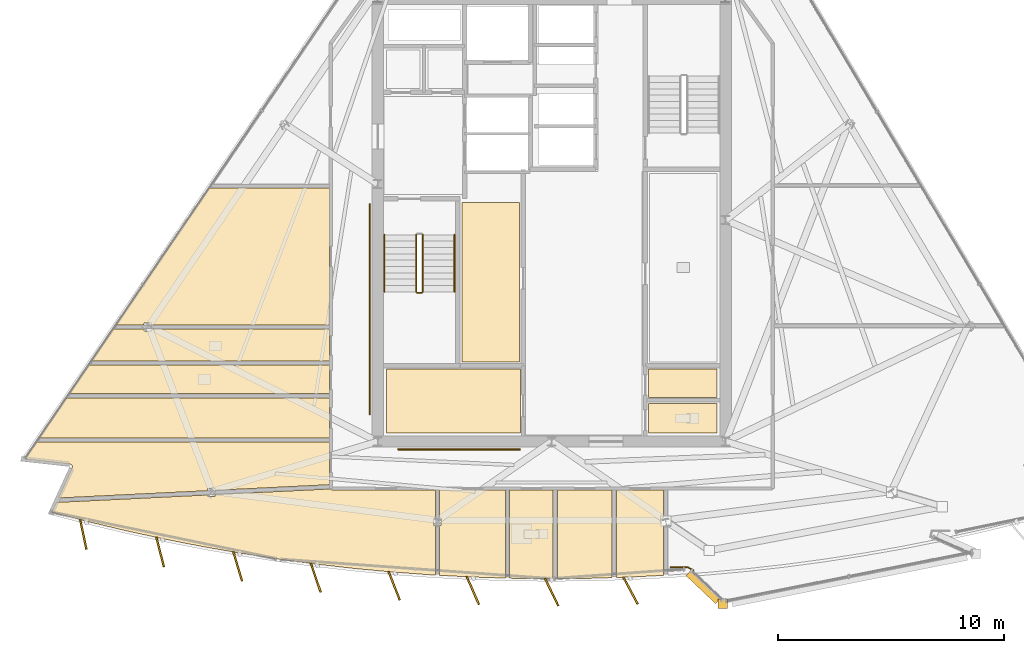
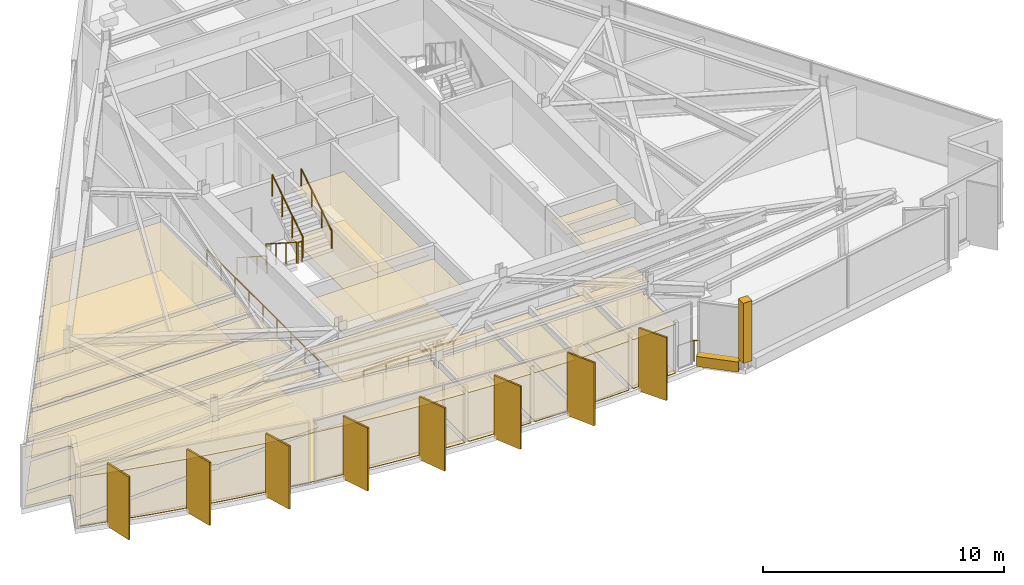
# One storey, part 10 of 13: 29 coverings, 8 railings, 8 shading devices.
"""IFC4 building model written with IfcOpenShell, lengths in metres."""

from ifc_helpers import new_model, si_unit, direction, frame, origin, origin_2d, place, context, subcontext, project, spatial, polyline, rectangle, circle, outline, extrude, material, layer, layer_set, type_object, element, save


model = new_model("IFC4")

# Units and contexts
model_context = context("Model", 3, precision=1e-05, world=origin(), true_north=direction((0.0, 1.0)))
body_context = subcontext(model_context, "Body", "Model", "MODEL_VIEW")
ifc_project = project(units=[si_unit("LENGTHUNIT", "METRE"), si_unit("AREAUNIT", "SQUARE_METRE"), si_unit("VOLUMEUNIT", "CUBIC_METRE"), si_unit("PLANEANGLEUNIT", "RADIAN"), si_unit("MASSUNIT", "GRAM", prefix="KILO")], contexts=[model_context])

# Site, building, storey
site_placement = place(None, origin())
site = spatial("IfcSite", under=ifc_project, at=site_placement, CompositionType="ELEMENT")
building_placement = place(site_placement, origin())
building = spatial("IfcBuilding", under=site, at=building_placement, Name="Savorim Split Tower", CompositionType="ELEMENT")
storey_placement = place(building_placement, frame((0.0, 0.0, 290.39990234375)))
storey = spatial("IfcBuildingStorey", under=building, at=storey_placement, Name="L77", CompositionType="ELEMENT", Elevation=290.39990234375)

# Coverings
ifc_material_1 = material(Name="Mineral Fibre Acoustic Ceiling")
ifc_layer_1 = layer(ifc_material_1, 0.02490234375)
ifc_layer_set_1 = layer_set([ifc_layer_1], Name="COV-CEIL-25")
covering_type_1 = type_object("IfcCoveringType", Name="COV-CEIL-25", PredefinedType="CEILING", material=ifc_layer_set_1)
covering_1_placement = place(storey_placement, frame((0.0, 0.0, 2.47021484375)))
element("IfcCovering", 1, at=covering_1_placement, inside=storey, type_object=covering_type_1, Name="L77 Quiet Study Room Acoustic Ceiling", PredefinedType="CEILING", context=body_context, shape_type="SweptSolid", body=[
    extrude(outline(polyline([(-3.969970703125, 1.169921875), (-3.969970703125, -5.8701171875), (-1.429931640625, -5.8701171875), (-1.429931640625, 1.169921875), (-3.969970703125, 1.169921875)])), origin(), (0.0, 0.0, 1.0), 0.02490234375),
])
covering_2_placement = place(storey_placement, frame((0.0, 0.0, 2.47021484375)))
element("IfcCovering", 2, at=covering_2_placement, inside=storey, type_object=covering_type_1, Name="L77 Housekeeping Store Acoustic Ceiling", PredefinedType="CEILING", context=body_context, shape_type="SweptSolid", body=[
    extrude(outline(polyline([(-7.320068359375, -6.179931640625), (-7.320068359375, -9.02001953125), (-1.3798828125, -9.02001953125), (-1.3798828125, -6.179931640625), (-7.320068359375, -6.179931640625)])), origin(), (0.0, 0.0, 1.0), 0.02490234375),
])
covering_3_placement = place(storey_placement, frame((0.0, 0.0, 2.47021484375)))
element("IfcCovering", 3, at=covering_3_placement, inside=storey, type_object=covering_type_1, Name="L77 Accessible WC Acoustic Ceiling", PredefinedType="CEILING", context=body_context, shape_type="SweptSolid", body=[
    extrude(outline(polyline([(4.280029296875, -7.719970703125), (4.280029296875, -9.02001953125), (7.320068359375, -9.02001953125), (7.320068359375, -7.719970703125), (4.280029296875, -7.719970703125)])), origin(), (0.0, 0.0, 1.0), 0.02490234375),
])
covering_4_placement = place(storey_placement, frame((0.0, 0.0, 2.47021484375)))
element("IfcCovering", 4, at=covering_4_placement, inside=storey, type_object=covering_type_1, Name="L77 Cleaning Store Acoustic Ceiling", PredefinedType="CEILING", context=body_context, shape_type="SweptSolid", body=[
    extrude(outline(polyline([(4.280029296875, -6.179931640625), (4.280029296875, -7.43994140625), (7.320068359375, -7.43994140625), (7.320068359375, -6.179931640625), (4.280029296875, -6.179931640625)])), origin(), (0.0, 0.0, 1.0), 0.02490234375),
])
covering_5_placement = place(storey_placement, frame((0.0, 0.0, 2.47021484375)))
element("IfcCovering", 5, at=covering_5_placement, inside=storey, type_object=covering_type_1, Name="L77 Communal Lounge Acoustic Ceiling", PredefinedType="CEILING", context=body_context, shape_type="SweptSolid", body=[
    extrude(outline(polyline([(-17.72119140625, -4.152587890625), (-17.72119140625, -4.232666015625), (-9.840087890625, -4.232666015625), (-9.840087890625, 1.815673828125), (-15.164306640625, 1.815673828125), (-19.278564453125, -4.232666015625), (-18.050048828125, -4.232666015625), (-18.050048828125, -4.152587890625), (-17.72119140625, -4.152587890625)])), origin(), (0.0, 0.0, 1.0), 0.02490234375),
])
covering_6_placement = place(storey_placement, frame((0.0, 0.0, 2.47021484375)))
element("IfcCovering", 6, at=covering_6_placement, inside=storey, type_object=covering_type_1, Name="L77 Shared Kitchen Acoustic Ceiling", PredefinedType="CEILING", context=body_context, shape_type="SweptSolid", body=[
    extrude(outline(polyline([(-19.28271484375, -4.422607421875), (-19.377685546875, -4.422607421875), (-19.377685546875, -4.37841796875), (-20.36328125, -5.8271484375), (-9.840087890625, -5.8271484375), (-9.840087890625, -4.422607421875), (-17.72119140625, -4.422607421875), (-17.72119140625, -4.502685546875), (-18.050048828125, -4.502685546875), (-18.050048828125, -4.422607421875), (-19.28271484375, -4.422607421875)])), origin(), (0.0, 0.0, 1.0), 0.02490234375),
])
covering_7_placement = place(storey_placement, frame((0.0, 0.0, 2.47021484375)))
element("IfcCovering", 7, at=covering_7_placement, inside=storey, type_object=covering_type_1, Name="L77 Community Laundry Room Acoustic Ceiling", PredefinedType="CEILING", context=body_context, shape_type="SweptSolid", body=[
    extrude(outline(polyline([(-9.840087890625, -7.275390625), (-9.840087890625, -6.01708984375), (-20.49267578125, -6.01708984375), (-21.3486328125, -7.275390625), (-9.840087890625, -7.275390625)])), origin(), (0.0, 0.0, 1.0), 0.02490234375),
])
covering_8_placement = place(storey_placement, frame((0.0, 0.0, 2.47021484375)))
element("IfcCovering", 8, at=covering_8_placement, inside=storey, type_object=covering_type_1, Name="L77 Quiet Study Room Acoustic Ceiling", PredefinedType="CEILING", context=body_context, shape_type="SweptSolid", body=[
    extrude(outline(polyline([(-9.840087890625, -9.238037109375), (-9.840087890625, -7.465576171875), (-21.477783203125, -7.465576171875), (-22.68359375, -9.238037109375), (-9.840087890625, -9.238037109375)])), origin(), (0.0, 0.0, 1.0), 0.02490234375),
])
covering_9_placement = place(storey_placement, frame((0.0, 0.0, 2.47021484375)))
element("IfcCovering", 9, at=covering_9_placement, inside=storey, type_object=covering_type_1, Name="L77 Quiet Study Room Acoustic Ceiling", PredefinedType="CEILING", context=body_context, shape_type="SweptSolid", body=[
    extrude(outline(polyline([(-21.21337890625, -10.5068359375), (-21.21337890625, -10.518798828125), (-21.214111328125, -10.530517578125), (-21.21630859375, -10.54248046875), (-21.2197265625, -10.5537109375), (-21.22412109375, -10.56494140625), (-21.8369140625, -11.898681640625), (-15.23876953125, -11.57470703125), (-15.23876953125, -11.486572265625), (-14.90966796875, -11.486572265625), (-14.90966796875, -11.558349609375), (-9.844482421875, -11.3095703125), (-9.840087890625, -11.309326171875), (-9.840087890625, -9.427978515625), (-22.81298828125, -9.427978515625), (-23.3193359375, -10.172119140625), (-21.31982421875, -10.3955078125), (-21.30810546875, -10.3974609375), (-21.296630859375, -10.400390625), (-21.285400390625, -10.40478515625), (-21.274658203125, -10.409912109375), (-21.2646484375, -10.41650390625), (-21.255126953125, -10.423583984375), (-21.24658203125, -10.431884765625), (-21.23876953125, -10.44091796875), (-21.231689453125, -10.45068359375), (-21.225830078125, -10.4609375), (-21.22119140625, -10.471923828125), (-21.21728515625, -10.4833984375), (-21.21484375, -10.494873046875), (-21.21337890625, -10.5068359375)])), origin(), (0.0, 0.0, 1.0), 0.02490234375),
])
covering_10_placement = place(storey_placement, frame((0.0, 0.0, 2.47021484375)))
element("IfcCovering", 10, at=covering_10_placement, inside=storey, type_object=covering_type_1, Name="L77 Maker Workshop Acoustic Ceiling", PredefinedType="CEILING", context=body_context, shape_type="SweptSolid", body=[
    extrude(outline(polyline([(-10.37109375, -14.83154296875), (-8.649169921875, -15.026123046875), (-6.923583984375, -15.185546875), (-5.1953125, -15.3095703125), (-5.147216796875, -15.31201171875), (-5.147216796875, -13.123291015625), (-5.216796875, -13.123291015625), (-5.216796875, -12.7734375), (-5.147216796875, -12.7734375), (-5.147216796875, -11.5400390625), (-9.699951171875, -11.5400390625), (-9.713623046875, -11.539306640625), (-9.727294921875, -11.537353515625), (-9.740478515625, -11.533935546875), (-9.753662109375, -11.529296875), (-9.76611328125, -11.5234375), (-9.77783203125, -11.516357421875), (-9.788818359375, -11.50830078125), (-9.799072265625, -11.4990234375), (-9.80029296875, -11.49755859375), (-14.90966796875, -11.74853515625), (-14.90966796875, -11.836669921875), (-15.23876953125, -11.836669921875), (-15.23876953125, -11.764892578125), (-21.82080078125, -12.088134765625), (-21.91552734375, -12.0927734375), (-21.91650390625, -12.072021484375), (-22.125244140625, -12.526123046875), (-20.5859375, -12.9287109375), (-18.90087890625, -13.332763671875), (-17.2080078125, -13.7021484375), (-15.5078125, -14.036865234375), (-13.801025390625, -14.3369140625), (-12.088623046875, -14.601806640625), (-10.37109375, -14.83154296875)])), origin(), (0.0, 0.0, 1.0), 0.02490234375),
])
covering_11_placement = place(storey_placement, frame((0.0, 0.0, 2.47021484375)))
element("IfcCovering", 11, at=covering_11_placement, inside=storey, type_object=covering_type_1, Name="L77 Quiet Study Room Acoustic Ceiling", PredefinedType="CEILING", context=body_context, shape_type="SweptSolid", body=[
    extrude(outline(polyline([(-4.957275390625, -15.266845703125), (-4.957275390625, -15.32177734375), (-3.46484375, -15.398193359375), (-2.04736328125, -15.441650390625), (-2.04736328125, -11.5400390625), (-4.957275390625, -11.5400390625), (-4.957275390625, -12.7734375), (-4.8876953125, -12.7734375), (-4.8876953125, -13.123291015625), (-4.957275390625, -13.123291015625), (-4.957275390625, -15.266845703125)])), origin(), (0.0, 0.0, 1.0), 0.02490234375),
])
covering_12_placement = place(storey_placement, frame((0.0, 0.0, 2.47021484375)))
element("IfcCovering", 12, at=covering_12_placement, inside=storey, type_object=covering_type_1, Name="L77 Shared Bathroom Acoustic Ceiling", PredefinedType="CEILING", context=body_context, shape_type="SweptSolid", body=[
    extrude(outline(polyline([(-1.857421875, -15.447509765625), (-1.732666015625, -15.451171875), (0.0, -15.468994140625), (0.0673828125, -15.46826171875), (0.0673828125, -11.5400390625), (-1.857421875, -11.5400390625), (-1.857421875, -15.447509765625)])), origin(), (0.0, 0.0, 1.0), 0.02490234375),
])
covering_13_placement = place(storey_placement, frame((0.0, 0.0, 2.47021484375)))
element("IfcCovering", 13, at=covering_13_placement, inside=storey, type_object=covering_type_1, Name="L77 Quiet Study Room Acoustic Ceiling", PredefinedType="CEILING", context=body_context, shape_type="SweptSolid", body=[
    extrude(outline(polyline([(0.257568359375, -11.5400390625), (0.257568359375, -15.46630859375), (1.732666015625, -15.451171875), (2.6748046875, -15.42236328125), (2.6748046875, -11.5400390625), (0.257568359375, -11.5400390625)])), origin(), (0.0, 0.0, 1.0), 0.02490234375),
])
covering_14_placement = place(storey_placement, frame((0.0, 0.0, 2.47021484375)))
element("IfcCovering", 14, at=covering_14_placement, inside=storey, type_object=covering_type_1, Name="L77 Co-Living Bedroom Acoustic Ceiling", PredefinedType="CEILING", context=body_context, shape_type="SweptSolid", body=[
    extrude(outline(polyline([(4.957275390625, -11.5400390625), (2.864990234375, -11.5400390625), (2.86474609375, -15.41650390625), (3.46484375, -15.398193359375), (4.957275390625, -15.32177734375), (4.957275390625, -13.123291015625), (4.8876953125, -13.123291015625), (4.8876953125, -12.7734375), (4.957275390625, -12.7734375), (4.957275390625, -11.5400390625)])), origin(), (0.0, 0.0, 1.0), 0.02490234375),
])
ifc_material_2 = material(Name="Porcelain Stoneware Flooring", Category="masonry")
ifc_layer_2 = layer(ifc_material_2, 0.02001953125)
ifc_layer_set_2 = layer_set([ifc_layer_2], Name="COV-FLOR-20")
covering_type_2 = type_object("IfcCoveringType", Name="COV-FLOR-20", PredefinedType="FLOORING", material=ifc_layer_set_2)
covering_15_placement = place(storey_placement, origin())
element("IfcCovering", 15, at=covering_15_placement, inside=storey, type_object=covering_type_2, Name="L77 Quiet Study Room Porcelain Flooring", PredefinedType="FLOORING", context=body_context, shape_type="SweptSolid", body=[
    extrude(outline(polyline([(-3.969970703125, 1.169921875), (-3.969970703125, -5.8701171875), (-1.429931640625, -5.8701171875), (-1.429931640625, 1.169921875), (-3.969970703125, 1.169921875)])), origin(), (0.0, 0.0, 1.0), 0.02001953125),
])
covering_16_placement = place(storey_placement, origin())
element("IfcCovering", 16, at=covering_16_placement, inside=storey, type_object=covering_type_2, Name="L77 Housekeeping Store Porcelain Flooring", PredefinedType="FLOORING", context=body_context, shape_type="SweptSolid", body=[
    extrude(outline(polyline([(-7.320068359375, -6.179931640625), (-7.320068359375, -9.02001953125), (-1.3798828125, -9.02001953125), (-1.3798828125, -6.179931640625), (-7.320068359375, -6.179931640625)])), origin(), (0.0, 0.0, 1.0), 0.02001953125),
])
covering_17_placement = place(storey_placement, origin())
element("IfcCovering", 17, at=covering_17_placement, inside=storey, type_object=covering_type_2, Name="L77 Accessible WC Porcelain Flooring", PredefinedType="FLOORING", context=body_context, shape_type="SweptSolid", body=[
    extrude(outline(polyline([(4.280029296875, -7.719970703125), (4.280029296875, -9.02001953125), (7.320068359375, -9.02001953125), (7.320068359375, -7.719970703125), (4.280029296875, -7.719970703125)])), origin(), (0.0, 0.0, 1.0), 0.02001953125),
])
covering_18_placement = place(storey_placement, origin())
element("IfcCovering", 18, at=covering_18_placement, inside=storey, type_object=covering_type_2, Name="L77 Communal Lounge Porcelain Flooring", PredefinedType="FLOORING", context=body_context, shape_type="SweptSolid", body=[
    extrude(outline(polyline([(-17.72119140625, -4.152587890625), (-17.72119140625, -4.232666015625), (-9.840087890625, -4.232666015625), (-9.840087890625, 1.815673828125), (-15.164306640625, 1.815673828125), (-19.278564453125, -4.232666015625), (-18.050048828125, -4.232666015625), (-18.050048828125, -4.152587890625), (-17.72119140625, -4.152587890625)])), origin(), (0.0, 0.0, 1.0), 0.02001953125),
])
covering_19_placement = place(storey_placement, origin())
element("IfcCovering", 19, at=covering_19_placement, inside=storey, type_object=covering_type_2, Name="L77 Shared Kitchen Porcelain Flooring", PredefinedType="FLOORING", context=body_context, shape_type="SweptSolid", body=[
    extrude(outline(polyline([(-19.28271484375, -4.422607421875), (-19.377685546875, -4.422607421875), (-19.377685546875, -4.37841796875), (-20.36328125, -5.8271484375), (-9.840087890625, -5.8271484375), (-9.840087890625, -4.422607421875), (-17.72119140625, -4.422607421875), (-17.72119140625, -4.502685546875), (-18.050048828125, -4.502685546875), (-18.050048828125, -4.422607421875), (-19.28271484375, -4.422607421875)])), origin(), (0.0, 0.0, 1.0), 0.02001953125),
])
covering_20_placement = place(storey_placement, origin())
element("IfcCovering", 20, at=covering_20_placement, inside=storey, type_object=covering_type_2, Name="L77 Community Laundry Room Porcelain Flooring", PredefinedType="FLOORING", context=body_context, shape_type="SweptSolid", body=[
    extrude(outline(polyline([(-9.840087890625, -7.275390625), (-9.840087890625, -6.01708984375), (-20.49267578125, -6.01708984375), (-21.3486328125, -7.275390625), (-9.840087890625, -7.275390625)])), origin(), (0.0, 0.0, 1.0), 0.02001953125),
])
covering_21_placement = place(storey_placement, origin())
element("IfcCovering", 21, at=covering_21_placement, inside=storey, type_object=covering_type_2, Name="L77 Quiet Study Room Porcelain Flooring", PredefinedType="FLOORING", context=body_context, shape_type="SweptSolid", body=[
    extrude(outline(polyline([(-9.840087890625, -9.238037109375), (-9.840087890625, -7.465576171875), (-21.477783203125, -7.465576171875), (-22.68359375, -9.238037109375), (-9.840087890625, -9.238037109375)])), origin(), (0.0, 0.0, 1.0), 0.02001953125),
])
covering_22_placement = place(storey_placement, origin())
element("IfcCovering", 22, at=covering_22_placement, inside=storey, type_object=covering_type_2, Name="L77 Quiet Study Room Porcelain Flooring", PredefinedType="FLOORING", context=body_context, shape_type="SweptSolid", body=[
    extrude(outline(polyline([(-21.21337890625, -10.5068359375), (-21.21337890625, -10.518798828125), (-21.214111328125, -10.530517578125), (-21.21630859375, -10.54248046875), (-21.2197265625, -10.5537109375), (-21.22412109375, -10.56494140625), (-21.8369140625, -11.898681640625), (-15.23876953125, -11.57470703125), (-15.23876953125, -11.486572265625), (-14.90966796875, -11.486572265625), (-14.90966796875, -11.558349609375), (-9.844482421875, -11.3095703125), (-9.840087890625, -11.309326171875), (-9.840087890625, -9.427978515625), (-22.81298828125, -9.427978515625), (-23.3193359375, -10.172119140625), (-21.31982421875, -10.3955078125), (-21.30810546875, -10.3974609375), (-21.296630859375, -10.400390625), (-21.285400390625, -10.40478515625), (-21.274658203125, -10.409912109375), (-21.2646484375, -10.41650390625), (-21.255126953125, -10.423583984375), (-21.24658203125, -10.431884765625), (-21.23876953125, -10.44091796875), (-21.231689453125, -10.45068359375), (-21.225830078125, -10.4609375), (-21.22119140625, -10.471923828125), (-21.21728515625, -10.4833984375), (-21.21484375, -10.494873046875), (-21.21337890625, -10.5068359375)])), origin(), (0.0, 0.0, 1.0), 0.02001953125),
])
covering_23_placement = place(storey_placement, origin())
element("IfcCovering", 23, at=covering_23_placement, inside=storey, type_object=covering_type_2, Name="L77 Maker Workshop Porcelain Flooring", PredefinedType="FLOORING", context=body_context, shape_type="SweptSolid", body=[
    extrude(outline(polyline([(-10.37109375, -14.83154296875), (-8.649169921875, -15.026123046875), (-6.923583984375, -15.185546875), (-5.1953125, -15.3095703125), (-5.147216796875, -15.31201171875), (-5.147216796875, -13.123291015625), (-5.216796875, -13.123291015625), (-5.216796875, -12.7734375), (-5.147216796875, -12.7734375), (-5.147216796875, -11.5400390625), (-9.699951171875, -11.5400390625), (-9.713623046875, -11.539306640625), (-9.727294921875, -11.537353515625), (-9.740478515625, -11.533935546875), (-9.753662109375, -11.529296875), (-9.76611328125, -11.5234375), (-9.77783203125, -11.516357421875), (-9.788818359375, -11.50830078125), (-9.799072265625, -11.4990234375), (-9.80029296875, -11.49755859375), (-14.90966796875, -11.74853515625), (-14.90966796875, -11.836669921875), (-15.23876953125, -11.836669921875), (-15.23876953125, -11.764892578125), (-21.82080078125, -12.088134765625), (-21.91552734375, -12.0927734375), (-21.91650390625, -12.072021484375), (-22.125244140625, -12.526123046875), (-20.5859375, -12.9287109375), (-18.90087890625, -13.332763671875), (-17.2080078125, -13.7021484375), (-15.5078125, -14.036865234375), (-13.801025390625, -14.3369140625), (-12.088623046875, -14.601806640625), (-10.37109375, -14.83154296875)])), origin(), (0.0, 0.0, 1.0), 0.02001953125),
])
covering_24_placement = place(storey_placement, origin())
element("IfcCovering", 24, at=covering_24_placement, inside=storey, type_object=covering_type_2, Name="L77 Quiet Study Room Porcelain Flooring", PredefinedType="FLOORING", context=body_context, shape_type="SweptSolid", body=[
    extrude(outline(polyline([(-4.957275390625, -15.266845703125), (-4.957275390625, -15.32177734375), (-3.46484375, -15.398193359375), (-2.04736328125, -15.441650390625), (-2.04736328125, -11.5400390625), (-4.957275390625, -11.5400390625), (-4.957275390625, -12.7734375), (-4.8876953125, -12.7734375), (-4.8876953125, -13.123291015625), (-4.957275390625, -13.123291015625), (-4.957275390625, -15.266845703125)])), origin(), (0.0, 0.0, 1.0), 0.02001953125),
])
covering_25_placement = place(storey_placement, origin())
element("IfcCovering", 25, at=covering_25_placement, inside=storey, type_object=covering_type_2, Name="L77 Shared Bathroom Porcelain Flooring", PredefinedType="FLOORING", context=body_context, shape_type="SweptSolid", body=[
    extrude(outline(polyline([(-1.857421875, -15.447509765625), (-1.732666015625, -15.451171875), (0.0, -15.468994140625), (0.0673828125, -15.46826171875), (0.0673828125, -11.5400390625), (-1.857421875, -11.5400390625), (-1.857421875, -15.447509765625)])), origin(), (0.0, 0.0, 1.0), 0.02001953125),
])
covering_26_placement = place(storey_placement, origin())
element("IfcCovering", 26, at=covering_26_placement, inside=storey, type_object=covering_type_2, Name="L77 Quiet Study Room Porcelain Flooring", PredefinedType="FLOORING", context=body_context, shape_type="SweptSolid", body=[
    extrude(outline(polyline([(0.257568359375, -11.5400390625), (0.257568359375, -15.46630859375), (1.732666015625, -15.451171875), (2.6748046875, -15.42236328125), (2.6748046875, -11.5400390625), (0.257568359375, -11.5400390625)])), origin(), (0.0, 0.0, 1.0), 0.02001953125),
])
covering_27_placement = place(storey_placement, origin())
element("IfcCovering", 27, at=covering_27_placement, inside=storey, type_object=covering_type_2, Name="L77 Co-Living Bedroom Porcelain Flooring", PredefinedType="FLOORING", context=body_context, shape_type="SweptSolid", body=[
    extrude(outline(polyline([(4.957275390625, -11.5400390625), (2.864990234375, -11.5400390625), (2.86474609375, -15.41650390625), (3.46484375, -15.398193359375), (4.957275390625, -15.32177734375), (4.957275390625, -13.123291015625), (4.8876953125, -13.123291015625), (4.8876953125, -12.7734375), (4.957275390625, -12.7734375), (4.957275390625, -11.5400390625)])), origin(), (0.0, 0.0, 1.0), 0.02001953125),
])
ifc_material_3 = material(Name="White Porcelain Architectural Cladding")
ifc_layer_3 = layer(ifc_material_3, 0.139892578125)
ifc_layer_set_3 = layer_set([ifc_layer_3], Name="COV-FRM-WHITE")
covering_type_3 = type_object("IfcCoveringType", Name="COV-FRM-WHITE", PredefinedType="CLADDING", material=ifc_layer_set_3)
covering_28_placement = place(storey_placement, frame((0.0, 0.0, 0.010009765625)))
element("IfcCovering", 28, at=covering_28_placement, inside=storey, type_object=covering_type_3, Name="L77 Cantilevered Lounge White Lower Frame Band W", PredefinedType="CLADDING", context=body_context, shape_type="SweptSolid", body=[
    extrude(outline(polyline([(5.9462890625, -15.336181640625), (7.253173828125, -16.57421875), (7.48681640625, -16.327392578125), (6.18017578125, -15.08935546875), (5.9462890625, -15.336181640625)])), origin(), (0.0, 0.0, 1.0), 0.510009765625),
])
covering_29_placement = place(storey_placement, frame((0.0, 0.0, 0.5400390625)))
element("IfcCovering", 29, at=covering_29_placement, inside=storey, type_object=covering_type_3, Name="L77 Cantilevered Lounge White Frame Corner Post 1", PredefinedType="CLADDING", context=body_context, shape_type="SweptSolid", body=[
    extrude(outline(polyline([(7.36865234375, -16.78955078125), (7.78857421875, -16.78955078125), (7.78857421875, -16.369384765625), (7.36865234375, -16.369384765625), (7.36865234375, -16.78955078125)])), origin(), (0.0, 0.0, 1.0), 3.050048828125),
])

# Railings
ifc_material_4 = material(Name="Galvanised Painted Steel Balustrade", Category="steel")
railing_type_1 = type_object("IfcRailingType", Name="RLG-BAL-1100", PredefinedType="BALUSTRADE", material=ifc_material_4)
railing_1_placement = place(storey_placement, frame((5.259521484375, -14.971435546875, 0.0)))
element("IfcRailing", 30, at=railing_1_placement, inside=storey, type_object=railing_type_1, Name="L77 Cantilevered Lounge West Edge Closure Guard", PredefinedType="BALUSTRADE", context=body_context, shape_type="SweptSolid", body=[
    extrude(circle(Radius=0.02392578125, at=origin_2d()), frame((0.0, 0.0, 1.076171875), z_axis=(1.0, 0.0, 0.0), x_axis=(0.0, 1.0, 0.0)), (0.0, 0.0, 1.0), 0.780029296875),
    extrude(circle(Radius=0.02392578125, at=origin_2d()), frame((0.780029296875, 0.0, 1.076171875), z_axis=(0.86357675765, -0.504217397208, 0.0), x_axis=(0.504217397208, 0.86357675765, 0.0)), (0.0, 0.0, 1.0), 0.262939453125),
    extrude(circle(Radius=0.02099609375, at=origin_2d()), origin(), (0.0, 0.0, 1.0), 1.052001953125),
    extrude(circle(Radius=0.02099609375, at=origin_2d()), frame((0.780029296875, 0.0, 0.0)), (0.0, 0.0, 1.0), 1.052001953125),
    extrude(circle(Radius=0.02099609375, at=origin_2d()), frame((1.007080078125, -0.132568359375, 0.0)), (0.0, 0.0, 1.0), 1.052001953125),
])
railing_type_2 = type_object("IfcRailingType", Name="RLG-HR-900", PredefinedType="HANDRAIL", material=ifc_material_4)
railing_2_placement = place(storey_placement, frame((-7.39990234375, -0.25, 0.18017578125)))
element("IfcRailing", 31, at=railing_2_placement, inside=storey, type_object=railing_type_2, Name="L77 ST-1 stair handrail 1", PredefinedType="HANDRAIL", context=body_context, shape_type="SweptSolid", body=[
    extrude(circle(Radius=0.02392578125, at=origin_2d()), frame((0.0, 0.0, 0.8759765625), z_axis=(0.0, -0.841199657755, 0.540724639528), x_axis=(1.0, 0.0, 0.0)), (0.0, 0.0, 1.0), 2.995849609375),
    extrude(circle(Radius=0.02099609375, at=origin_2d()), origin(), (0.0, 0.0, 1.0), 0.851806640625),
    extrude(circle(Radius=0.02099609375, at=origin_2d()), frame((0.0, -0.840087890625, 0.5400390625)), (0.0, 0.0, 1.0), 0.851806640625),
    extrude(circle(Radius=0.02099609375, at=origin_2d()), frame((0.0, -1.679931640625, 1.079833984375)), (0.0, 0.0, 1.0), 0.851806640625),
    extrude(circle(Radius=0.02099609375, at=origin_2d()), frame((0.0, -2.52001953125, 1.619873046875)), (0.0, 0.0, 1.0), 0.851806640625),
])
railing_3_placement = place(storey_placement, frame((-4.300048828125, -2.77001953125, 1.97998046875)))
element("IfcRailing", 32, at=railing_3_placement, inside=storey, type_object=railing_type_2, Name="L77 ST-1 stair handrail 2", PredefinedType="HANDRAIL", context=body_context, shape_type="SweptSolid", body=[
    extrude(circle(Radius=0.02392578125, at=origin_2d()), frame((0.0, 0.0, 0.8759765625), z_axis=(0.0, 0.841162588446, 0.540782303519), x_axis=(-1.0, 0.0, 0.0)), (0.0, 0.0, 1.0), 2.995849609375),
    extrude(circle(Radius=0.02099609375, at=origin_2d()), origin(), (0.0, 0.0, 1.0), 0.851806640625),
    extrude(circle(Radius=0.02099609375, at=origin_2d()), frame((0.0, 0.840087890625, 0.5400390625)), (0.0, 0.0, 1.0), 0.851806640625),
    extrude(circle(Radius=0.02099609375, at=origin_2d()), frame((0.0, 1.679931640625, 1.080078125)), (0.0, 0.0, 1.0), 0.851806640625),
    extrude(circle(Radius=0.02099609375, at=origin_2d()), frame((0.0, 2.52001953125, 1.6201171875)), (0.0, 0.0, 1.0), 0.851806640625),
])
railing_4_placement = place(storey_placement, frame((-6.800048828125, -9.75, 0.0)))
element("IfcRailing", 33, at=railing_4_placement, inside=storey, type_object=railing_type_2, Name="L77 Corridor South Accessible Handrail", PredefinedType="HANDRAIL", context=body_context, shape_type="SweptSolid", body=[
    extrude(circle(Radius=0.02392578125, at=origin_2d()), frame((0.0, 0.0, 0.8759765625), z_axis=(1.0, 0.0, 0.0), x_axis=(0.0, 1.0, 0.0)), (0.0, 0.0, 1.0), 5.400146484375),
    extrude(circle(Radius=0.02099609375, at=origin_2d()), origin(), (0.0, 0.0, 1.0), 0.851806640625),
    extrude(circle(Radius=0.02099609375, at=origin_2d()), frame((1.080078125, 0.0, 0.0)), (0.0, 0.0, 1.0), 0.851806640625),
    extrude(circle(Radius=0.02099609375, at=origin_2d()), frame((2.16015625, 0.0, 0.0)), (0.0, 0.0, 1.0), 0.851806640625),
    extrude(circle(Radius=0.02099609375, at=origin_2d()), frame((3.239990234375, 0.0, 0.0)), (0.0, 0.0, 1.0), 0.851806640625),
    extrude(circle(Radius=0.02099609375, at=origin_2d()), frame((4.320068359375, 0.0, 0.0)), (0.0, 0.0, 1.0), 0.851806640625),
    extrude(circle(Radius=0.02099609375, at=origin_2d()), frame((5.400146484375, 0.0, 0.0)), (0.0, 0.0, 1.0), 0.851806640625),
])
railing_5_placement = place(storey_placement, frame((-8.050048828125, -8.199951171875, 0.0)))
element("IfcRailing", 34, at=railing_5_placement, inside=storey, type_object=railing_type_2, Name="L77 Corridor West Accessible Handrail", PredefinedType="HANDRAIL", context=body_context, shape_type="SweptSolid", body=[
    extrude(circle(Radius=0.02392578125, at=origin_2d()), frame((0.0, 0.0, 0.8759765625), z_axis=(0.0, 1.0, 0.0), x_axis=(-1.0, 0.0, 0.0)), (0.0, 0.0, 1.0), 9.300048828125),
    extrude(circle(Radius=0.02099609375, at=origin_2d()), origin(), (0.0, 0.0, 1.0), 0.851806640625),
    extrude(circle(Radius=0.02099609375, at=origin_2d()), frame((0.0, 1.16259765625, 0.0)), (0.0, 0.0, 1.0), 0.851806640625),
    extrude(circle(Radius=0.02099609375, at=origin_2d()), frame((0.0, 2.324951171875, 0.0)), (0.0, 0.0, 1.0), 0.851806640625),
    extrude(circle(Radius=0.02099609375, at=origin_2d()), frame((0.0, 3.487548828125, 0.0)), (0.0, 0.0, 1.0), 0.851806640625),
    extrude(circle(Radius=0.02099609375, at=origin_2d()), frame((0.0, 4.64990234375, 0.0)), (0.0, 0.0, 1.0), 0.851806640625),
    extrude(circle(Radius=0.02099609375, at=origin_2d()), frame((0.0, 5.8125, 0.0)), (0.0, 0.0, 1.0), 0.851806640625),
    extrude(circle(Radius=0.02099609375, at=origin_2d()), frame((0.0, 6.97509765625, 0.0)), (0.0, 0.0, 1.0), 0.851806640625),
    extrude(circle(Radius=0.02099609375, at=origin_2d()), frame((0.0, 8.137451171875, 0.0)), (0.0, 0.0, 1.0), 0.851806640625),
    extrude(circle(Radius=0.02099609375, at=origin_2d()), frame((0.0, 9.300048828125, 0.0)), (0.0, 0.0, 1.0), 0.851806640625),
])
railing_type_3 = type_object("IfcRailingType", Name="RLG-STG-1100", PredefinedType="BALUSTRADE", material=ifc_material_4)
railing_6_placement = place(storey_placement, frame((-6.0, -0.25, 0.18017578125)))
element("IfcRailing", 35, at=railing_6_placement, inside=storey, type_object=railing_type_3, Name="L77 ST-1 stair guard 1", PredefinedType="BALUSTRADE", context=body_context, shape_type="SweptSolid", body=[
    extrude(circle(Radius=0.02392578125, at=origin_2d()), frame((0.0, 0.0, 1.076171875), z_axis=(0.0, -0.841199657755, 0.540724639528), x_axis=(1.0, 0.0, 0.0)), (0.0, 0.0, 1.0), 2.995849609375),
    extrude(circle(Radius=0.02099609375, at=origin_2d()), origin(), (0.0, 0.0, 1.0), 1.052001953125),
    extrude(circle(Radius=0.02099609375, at=origin_2d()), frame((0.0, -0.840087890625, 0.5400390625)), (0.0, 0.0, 1.0), 1.052001953125),
    extrude(circle(Radius=0.02099609375, at=origin_2d()), frame((0.0, -1.679931640625, 1.079833984375)), (0.0, 0.0, 1.0), 1.052001953125),
    extrude(circle(Radius=0.02099609375, at=origin_2d()), frame((0.0, -2.52001953125, 1.619873046875)), (0.0, 0.0, 1.0), 1.052001953125),
])
railing_7_placement = place(storey_placement, frame((-5.949951171875, -2.820068359375, 1.800048828125)))
element("IfcRailing", 36, at=railing_7_placement, inside=storey, type_object=railing_type_3, Name="L77 ST-1 stair guard 2", PredefinedType="BALUSTRADE", context=body_context, shape_type="SweptSolid", body=[
    extrude(circle(Radius=0.02392578125, at=origin_2d()), frame((0.0, 0.0, 1.076171875), z_axis=(1.0, 0.0, 0.0), x_axis=(0.0, 1.0, 0.0)), (0.0, 0.0, 1.0), 0.199951171875),
    extrude(circle(Radius=0.02099609375, at=origin_2d()), origin(), (0.0, 0.0, 1.0), 1.052001953125),
    extrude(circle(Radius=0.02099609375, at=origin_2d()), frame((0.199951171875, 0.0, 0.0)), (0.0, 0.0, 1.0), 1.052001953125),
])
railing_8_placement = place(storey_placement, frame((-5.699951171875, -2.77001953125, 1.97998046875)))
element("IfcRailing", 37, at=railing_8_placement, inside=storey, type_object=railing_type_3, Name="L77 ST-1 stair guard 3", PredefinedType="BALUSTRADE", context=body_context, shape_type="SweptSolid", body=[
    extrude(circle(Radius=0.02392578125, at=origin_2d()), frame((0.0, 0.0, 1.076171875), z_axis=(0.0, 0.841162588446, 0.540782303519), x_axis=(-1.0, 0.0, 0.0)), (0.0, 0.0, 1.0), 2.995849609375),
    extrude(circle(Radius=0.02099609375, at=origin_2d()), origin(), (0.0, 0.0, 1.0), 1.052001953125),
    extrude(circle(Radius=0.02099609375, at=origin_2d()), frame((0.0, 0.840087890625, 0.5400390625)), (0.0, 0.0, 1.0), 1.052001953125),
    extrude(circle(Radius=0.02099609375, at=origin_2d()), frame((0.0, 1.679931640625, 1.080078125)), (0.0, 0.0, 1.0), 1.052001953125),
    extrude(circle(Radius=0.02099609375, at=origin_2d()), frame((0.0, 2.52001953125, 1.6201171875)), (0.0, 0.0, 1.0), 1.052001953125),
])

# Shading devices
ifc_material_5 = material(Name="Terracotta Ceramic-Coated Aluminium Fin", Category="masonry")
shading_device_type = type_object("IfcShadingDeviceType", Name="SHD-FIN-1360", PredefinedType="USERDEFINED", material=ifc_material_5)
for number, where, z_axis, x_axis, name in (
    (38, (-20.73095703125, -13.5068359375, -0.19970703125), (0.0, 0.0, 1.0), (0.206721626106, -0.978399800337, 0.0), "L77 Sawtooth Shading Fin 01"),
    (39, (-17.3291015625, -14.28564453125, -0.19970703125), (0.0, 0.0, 1.0), (0.246581250663, -0.969122121727, 0.0), "L77 Sawtooth Shading Fin 02"),
    (40, (-13.898193359375, -14.9248046875, -0.19970703125), (0.0, 0.0, 1.0), (0.286026212504, -0.958221793616, 0.0), "L77 Sawtooth Shading Fin 03"),
    (41, (-10.444091796875, -15.423095703125, -0.19970703125), (0.0, 0.0, 1.0), (0.324993810493, -0.945716143005, 0.0), "L77 Sawtooth Shading Fin 04"),
    (42, (-6.972412109375, -15.779541015625, -0.19970703125), (0.0, 0.0, 1.0), (0.363415461732, -0.931627179817, 0.0), "L77 Sawtooth Shading Fin 05"),
    (43, (-3.489013671875, -15.99365234375, -0.19970703125), (0.0, 0.0, 1.0), (0.401230091723, -0.915977299662, 0.0), "L77 Sawtooth Shading Fin 06"),
    (44, (0.0, -16.06494140625, -0.19970703125), (0.0, 0.0, 1.0), (0.438371146789, -0.898794046299, 0.0), "L77 Sawtooth Shading Fin 07"),
    (45, (3.489013671875, -15.99365234375, -0.19970703125), (0.0, 0.0, 1.0), (0.474778051978, -0.880105562623, 0.0), "L77 Sawtooth Shading Fin 08"),
):
    element("IfcShadingDevice", number, at=place(storey_placement, frame(where, z_axis=z_axis, x_axis=x_axis)), inside=storey, type_object=shading_device_type, Name=name, ObjectType="FIN", PredefinedType="USERDEFINED", context=body_context, shape_type="SweptSolid", body=[
        extrude(rectangle(XDim=1.360107421875, YDim=0.080078125, at=origin_2d()), origin(), (0.0, 0.0, 1.0), 3.199951171875),
    ])

save(model, "model.ifc")
